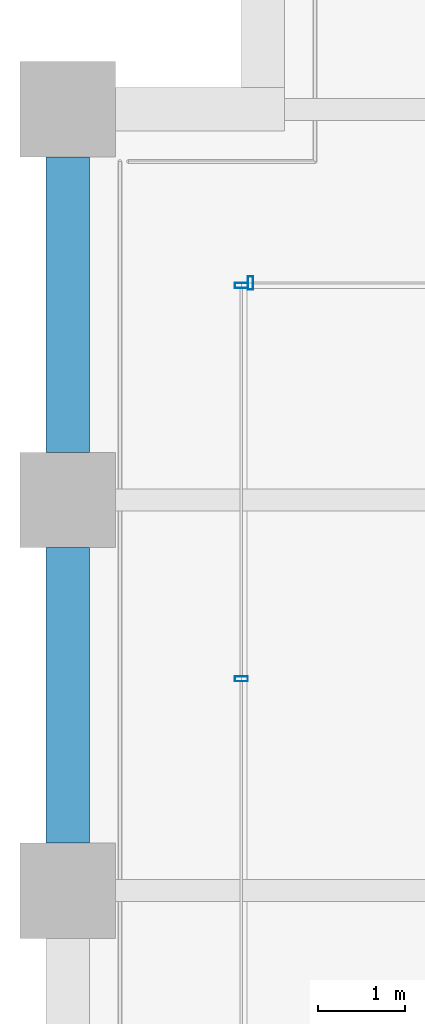
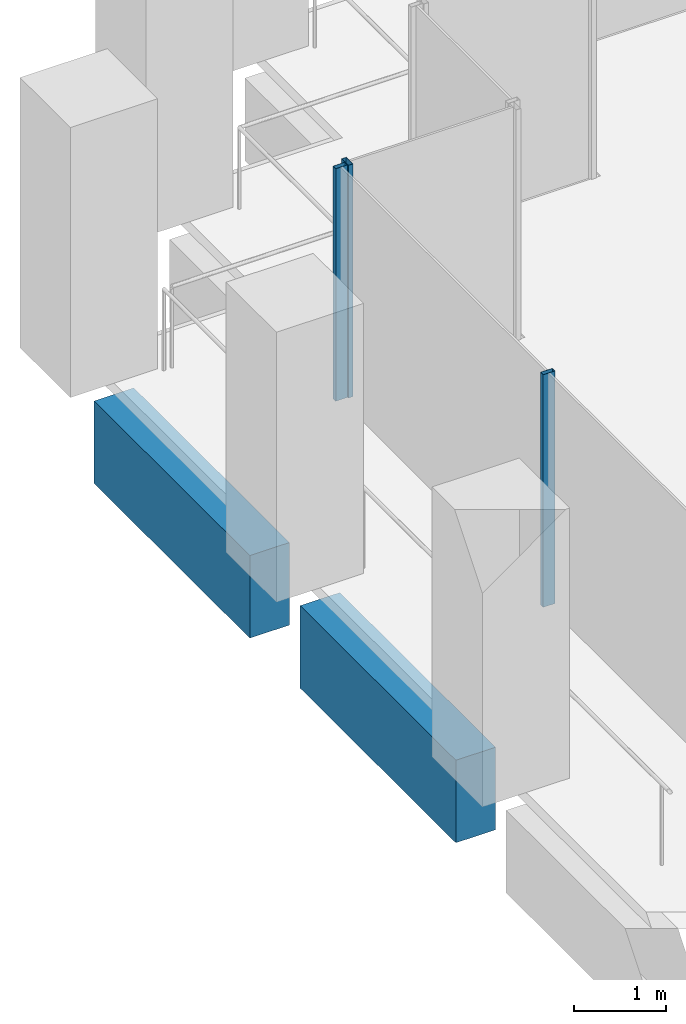
# One storey, part 23 of 54: 3 members, 2 beams, 2 elements without a shape of their own.
"""IFC4 building model written with IfcOpenShell, lengths in metres."""

from ifc_helpers import new_model, si_unit, direction, frame, origin, origin_2d, place, context, subcontext, project, spatial, rectangle, hollow_rectangle, extrude, material, material_profile, profile_set, type_object, element, aggregate, save


model = new_model("IFC4")

# Units and contexts
model_context = context("Model", 3, precision=1e-05, world=origin(), true_north=direction((0.0, 1.0)))
body_context = subcontext(model_context, "Body", "Model", "MODEL_VIEW")
ifc_project = project(units=[si_unit("LENGTHUNIT", "METRE"), si_unit("AREAUNIT", "SQUARE_METRE"), si_unit("VOLUMEUNIT", "CUBIC_METRE"), si_unit("PLANEANGLEUNIT", "RADIAN"), si_unit("MASSUNIT", "GRAM", prefix="KILO")], contexts=[model_context])

# Site, building, storey
site_placement = place(None, origin())
site = spatial("IfcSite", under=ifc_project, at=site_placement, CompositionType="ELEMENT")
building_placement = place(site_placement, origin())
building = spatial("IfcBuilding", under=site, at=building_placement, Name="Altepetl Exchange Towers", CompositionType="ELEMENT")
storey_placement = place(building_placement, frame((0.0, 0.0, 61.800048828125)))
storey = spatial("IfcBuildingStorey", under=building, at=storey_placement, Name="L14", CompositionType="ELEMENT", Elevation=61.800048828125)

# Curtain wall, member
ifc_material_1 = material(Name="Aluminium 6063-T6 glazing", Category="aluminium")
curtain_wall_type = type_object("IfcCurtainWallType", Name="Loggia glazing system", PredefinedType="NOTDEFINED", material=ifc_material_1)
curtain_wall_1_placement = place(storey_placement, origin())
curtain_wall_1 = element("IfcCurtainWall", 1, at=curtain_wall_1_placement, inside=storey, type_object=curtain_wall_type, Name="CW1 run", PredefinedType="NOTDEFINED")
ifc_material_2 = material(Name="Aluminium 6063-T6", Category="aluminium")
ifc_material_profile_1 = material_profile(ifc_material_2, hollow_rectangle(XDim=0.06005859375, YDim=0.14990234375, WallThickness=0.0029296875, at=origin_2d()), Name="Mullion 60x150 aluminium")
ifc_profile_set_1 = profile_set([ifc_material_profile_1], Name="Aluminium 6063-T6")
member_type = type_object("IfcMemberType", Name="Mullion 60x150 aluminium", PredefinedType="MULLION", material=ifc_profile_set_1)
member_1_placement = place(storey_placement, frame((29.10498046875, 65.5, 0.0), z_axis=(0.0, 0.0, 1.0), x_axis=(-1.0, 0.0, 0.0)))
member_1 = element("IfcMember", 2, at=member_1_placement, type_object=member_type, Name="MU1 mullion", PredefinedType="MULLION", context=body_context, shape_type="SweptSolid", body=[
    extrude(hollow_rectangle(XDim=0.06005859375, YDim=0.14990234375, WallThickness=0.0029296875, at=origin_2d()), origin(), (0.0, 0.0, 1.0), 3.099853515625),
])
aggregate(curtain_wall_1, [member_1])

# Curtain wall, members
curtain_wall_2_placement = place(storey_placement, origin())
curtain_wall_2 = element("IfcCurtainWall", 3, at=curtain_wall_2_placement, inside=storey, type_object=curtain_wall_type, Name="CW1 run", PredefinedType="NOTDEFINED")
member_2_placement = place(storey_placement, frame((29.0, 65.469970703125, 0.0), z_axis=(0.0, 0.0, 1.0), x_axis=(0.0, -1.0, 0.0)))
member_2 = element("IfcMember", 4, at=member_2_placement, type_object=member_type, Name="MU1 mullion", PredefinedType="MULLION", context=body_context, shape_type="SweptSolid", body=[
    extrude(hollow_rectangle(XDim=0.06005859375, YDim=0.14990234375, WallThickness=0.0029296875, at=origin_2d()), origin(), (0.0, 0.0, 1.0), 3.099853515625),
])
member_3_placement = place(storey_placement, frame((29.0, 60.939208984375, 0.0), z_axis=(0.0, 0.0, 1.0), x_axis=(0.0, -1.0, 0.0)))
member_3 = element("IfcMember", 5, at=member_3_placement, type_object=member_type, Name="MU1 mullion", PredefinedType="MULLION", context=body_context, shape_type="SweptSolid", body=[
    extrude(hollow_rectangle(XDim=0.06005859375, YDim=0.14990234375, WallThickness=0.0029296875, at=origin_2d()), origin(), (0.0, 0.0, 1.0), 3.099853515625),
])
aggregate(curtain_wall_2, [member_2, member_3])

# Beams
ifc_material_3 = material(Name="Concrete C50/60 precast with tezontle facing", Category="concrete")
ifc_material_profile_2 = material_profile(ifc_material_3, rectangle(XDim=0.5, YDim=1.10009765625, at=origin_2d()), Name="500 x 1100")
ifc_profile_set_2 = profile_set([ifc_material_profile_2], Name="Concrete C50/60 precast with tezontle facing")
beam_type = type_object("IfcBeamType", Name="Spandrel beam 500x1100 tezontle", PredefinedType="SPANDREL", material=ifc_profile_set_2)
for number, where, z_axis, x_axis, name in (
    (6, (27.0, 66.949951171875, -0.699951171875), (0.0, -1.0, 0.0), (1.0, 0.0, 0.0), "sp:A:L14:036"),
    (7, (27.0, 62.449951171875, -0.699951171875), (0.0, -1.0, 0.0), (1.0, 0.0, 0.0), "sp:A:L14:037"),
):
    element("IfcBeam", number, at=place(storey_placement, frame(where, z_axis=z_axis, x_axis=x_axis)), inside=storey, type_object=beam_type, Name=name, PredefinedType="SPANDREL", context=body_context, shape_type="SweptSolid", body=[
        extrude(rectangle(XDim=0.5, YDim=1.10009765625, at=origin_2d()), origin(), (0.0, 0.0, 1.0), 3.39990234375),
    ])

save(model, "model.ifc")
